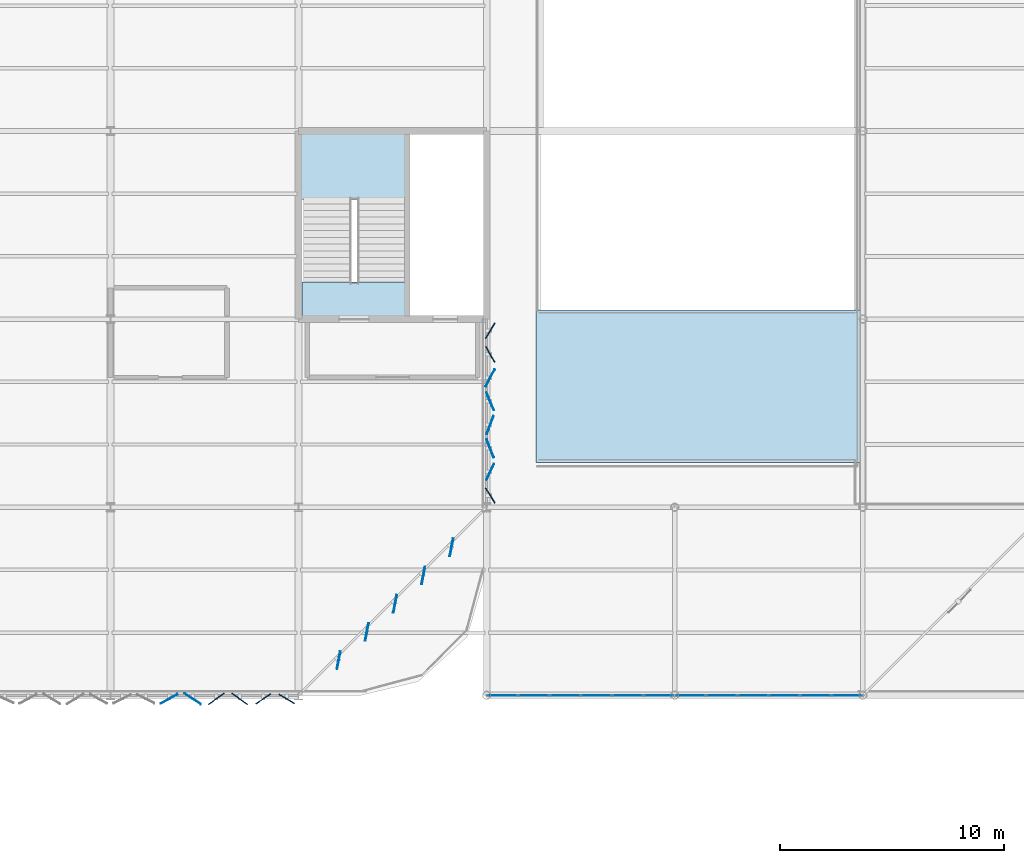
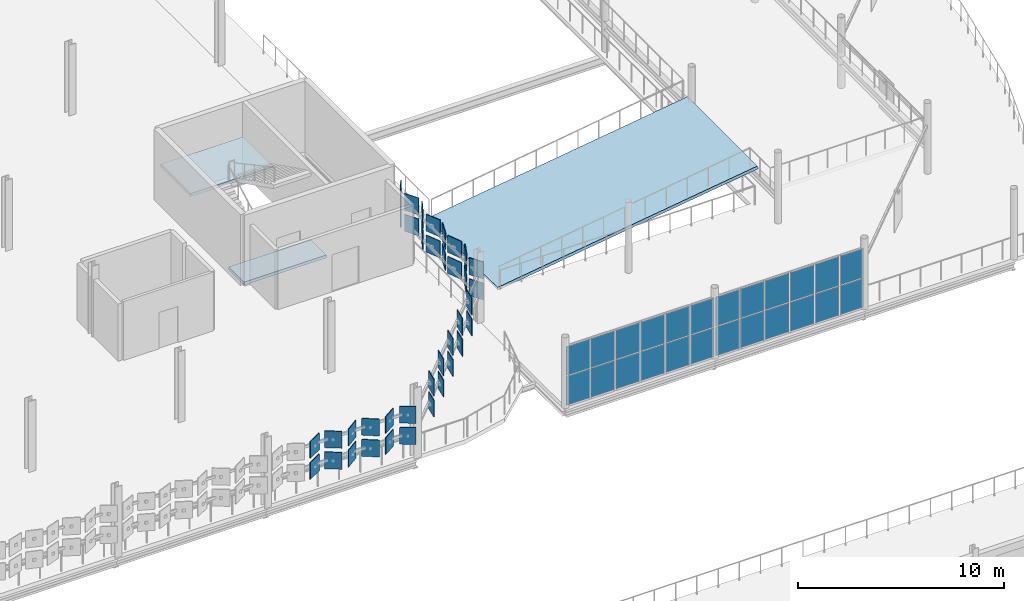
# One storey, part 149 of 184: 62 plates, 3 slabs, 3 elements without a shape of their own.
"""IFC4 building model written with IfcOpenShell, lengths in metres."""

from ifc_helpers import new_model, si_unit, direction, frame, origin, origin_2d, place, context, subcontext, project, spatial, polyline, rectangle, outline, extrude, material, layer, layer_set, type_object, element, aggregate, save


model = new_model("IFC4")

# Units and contexts
model_context = context("Model", 3, precision=1e-05, world=origin(), true_north=direction((0.0, 1.0)))
body_context = subcontext(model_context, "Body", "Model", "MODEL_VIEW")
ifc_project = project(units=[si_unit("LENGTHUNIT", "METRE"), si_unit("AREAUNIT", "SQUARE_METRE"), si_unit("VOLUMEUNIT", "CUBIC_METRE"), si_unit("PLANEANGLEUNIT", "RADIAN"), si_unit("MASSUNIT", "GRAM", prefix="KILO")], contexts=[model_context])

# Site, building, storey
site_placement = place(None, origin())
site = spatial("IfcSite", under=ifc_project, at=site_placement, CompositionType="ELEMENT")
building_placement = place(site_placement, origin())
building = spatial("IfcBuilding", under=site, at=building_placement, Name="Qalvenar Corner Mobility Hub", CompositionType="ELEMENT")
storey_placement = place(building_placement, frame((0.0, 0.0, 9.0)))
storey = spatial("IfcBuildingStorey", under=building, at=storey_placement, Name="L02", CompositionType="ELEMENT", Elevation=9.0)

# Curtain wall, plates
ifc_material_1 = material(Name="Anodised Aluminium and Low-E Glazing", Category="aluminium")
ifc_layer_1 = layer(ifc_material_1, 0.1201171875)
ifc_layer_set_1 = layer_set([ifc_layer_1], Name="Anodised Aluminium and Low-E Glazing")
curtain_wall_type = type_object("IfcCurtainWallType", Name="CW-STR-42X40", PredefinedType="NOTDEFINED", material=ifc_layer_set_1)
curtain_wall_1_placement = place(storey_placement, origin())
curtain_wall_1 = element("IfcCurtainWall", 1, at=curtain_wall_1_placement, inside=storey, type_object=curtain_wall_type, Name="Glazed Curtain Wall CW-V2-L02-S0", PredefinedType="NOTDEFINED")
ifc_material_2 = material(Name="Solar-Control Low-E Double Glazing", Category="glass")
ifc_layer_2 = layer(ifc_material_2, 0.028076171875)
ifc_layer_set_2 = layer_set([ifc_layer_2], Name="Solar-Control Low-E Double Glazing")
plate_type_1 = type_object("IfcPlateType", Name="PLT-CWP-GLZ1", PredefinedType="CURTAIN_PANEL", material=ifc_layer_set_2)
plate_1_placement = place(storey_placement, frame((143.514892578125, 67.199951171875, 0.05517578125), z_axis=(0.0, 0.0, 1.0), x_axis=(1.0, 0.0, 0.0)))
plate_1 = element("IfcPlate", 2, at=plate_1_placement, type_object=plate_type_1, Name="CW-10 panel 1.1", PredefinedType="CURTAIN_PANEL", context=body_context, shape_type="SweptSolid", body=[
    extrude(rectangle(XDim=1.31005859375, YDim=0.028076171875, at=origin_2d()), origin(), (0.0, 0.0, 1.0), 1.717529296875),
])
plate_2_placement = place(storey_placement, frame((143.514892578125, 67.199951171875, 1.82763671875), z_axis=(0.0, 0.0, 1.0), x_axis=(1.0, 0.0, 0.0)))
plate_2 = element("IfcPlate", 3, at=plate_2_placement, type_object=plate_type_1, Name="CW-10 panel 1.2", PredefinedType="CURTAIN_PANEL", context=body_context, shape_type="SweptSolid", body=[
    extrude(rectangle(XDim=1.31005859375, YDim=0.028076171875, at=origin_2d()), origin(), (0.0, 0.0, 1.0), 1.717529296875),
])
plate_3_placement = place(storey_placement, frame((144.89990234375, 67.199951171875, 0.05517578125), z_axis=(0.0, 0.0, 1.0), x_axis=(1.0, 0.0, 0.0)))
plate_3 = element("IfcPlate", 4, at=plate_3_placement, type_object=plate_type_1, Name="CW-10 panel 2.1", PredefinedType="CURTAIN_PANEL", context=body_context, shape_type="SweptSolid", body=[
    extrude(rectangle(XDim=1.340087890625, YDim=0.028076171875, at=origin_2d()), origin(), (0.0, 0.0, 1.0), 1.717529296875),
])
plate_4_placement = place(storey_placement, frame((144.89990234375, 67.199951171875, 1.82763671875), z_axis=(0.0, 0.0, 1.0), x_axis=(1.0, 0.0, 0.0)))
plate_4 = element("IfcPlate", 5, at=plate_4_placement, type_object=plate_type_1, Name="CW-10 panel 2.2", PredefinedType="CURTAIN_PANEL", context=body_context, shape_type="SweptSolid", body=[
    extrude(rectangle(XDim=1.340087890625, YDim=0.028076171875, at=origin_2d()), origin(), (0.0, 0.0, 1.0), 1.717529296875),
])
plate_5_placement = place(storey_placement, frame((146.300048828125, 67.199951171875, 0.05517578125), z_axis=(0.0, 0.0, 1.0), x_axis=(1.0, 0.0, 0.0)))
plate_5 = element("IfcPlate", 6, at=plate_5_placement, type_object=plate_type_1, Name="CW-10 panel 3.1", PredefinedType="CURTAIN_PANEL", context=body_context, shape_type="SweptSolid", body=[
    extrude(rectangle(XDim=1.340087890625, YDim=0.028076171875, at=origin_2d()), origin(), (0.0, 0.0, 1.0), 1.717529296875),
])
plate_6_placement = place(storey_placement, frame((146.300048828125, 67.199951171875, 1.82763671875), z_axis=(0.0, 0.0, 1.0), x_axis=(1.0, 0.0, 0.0)))
plate_6 = element("IfcPlate", 7, at=plate_6_placement, type_object=plate_type_1, Name="CW-10 panel 3.2", PredefinedType="CURTAIN_PANEL", context=body_context, shape_type="SweptSolid", body=[
    extrude(rectangle(XDim=1.340087890625, YDim=0.028076171875, at=origin_2d()), origin(), (0.0, 0.0, 1.0), 1.717529296875),
])
plate_7_placement = place(storey_placement, frame((147.699951171875, 67.199951171875, 0.05517578125), z_axis=(0.0, 0.0, 1.0), x_axis=(1.0, 0.0, 0.0)))
plate_7 = element("IfcPlate", 8, at=plate_7_placement, type_object=plate_type_1, Name="CW-10 panel 4.1", PredefinedType="CURTAIN_PANEL", context=body_context, shape_type="SweptSolid", body=[
    extrude(rectangle(XDim=1.340087890625, YDim=0.028076171875, at=origin_2d()), origin(), (0.0, 0.0, 1.0), 1.717529296875),
])
plate_8_placement = place(storey_placement, frame((147.699951171875, 67.199951171875, 1.82763671875), z_axis=(0.0, 0.0, 1.0), x_axis=(1.0, 0.0, 0.0)))
plate_8 = element("IfcPlate", 9, at=plate_8_placement, type_object=plate_type_1, Name="CW-10 panel 4.2", PredefinedType="CURTAIN_PANEL", context=body_context, shape_type="SweptSolid", body=[
    extrude(rectangle(XDim=1.340087890625, YDim=0.028076171875, at=origin_2d()), origin(), (0.0, 0.0, 1.0), 1.717529296875),
])
plate_9_placement = place(storey_placement, frame((149.10009765625, 67.199951171875, 0.05517578125), z_axis=(0.0, 0.0, 1.0), x_axis=(1.0, 0.0, 0.0)))
plate_9 = element("IfcPlate", 10, at=plate_9_placement, type_object=plate_type_1, Name="CW-10 panel 5.1", PredefinedType="CURTAIN_PANEL", context=body_context, shape_type="SweptSolid", body=[
    extrude(rectangle(XDim=1.340087890625, YDim=0.028076171875, at=origin_2d()), origin(), (0.0, 0.0, 1.0), 1.717529296875),
])
plate_10_placement = place(storey_placement, frame((149.10009765625, 67.199951171875, 1.82763671875), z_axis=(0.0, 0.0, 1.0), x_axis=(1.0, 0.0, 0.0)))
plate_10 = element("IfcPlate", 11, at=plate_10_placement, type_object=plate_type_1, Name="CW-10 panel 5.2", PredefinedType="CURTAIN_PANEL", context=body_context, shape_type="SweptSolid", body=[
    extrude(rectangle(XDim=1.340087890625, YDim=0.028076171875, at=origin_2d()), origin(), (0.0, 0.0, 1.0), 1.717529296875),
])
plate_11_placement = place(storey_placement, frame((150.485107421875, 67.199951171875, 0.05517578125), z_axis=(0.0, 0.0, 1.0), x_axis=(1.0, 0.0, 0.0)))
plate_11 = element("IfcPlate", 12, at=plate_11_placement, type_object=plate_type_1, Name="CW-10 panel 6.1", PredefinedType="CURTAIN_PANEL", context=body_context, shape_type="SweptSolid", body=[
    extrude(rectangle(XDim=1.31005859375, YDim=0.028076171875, at=origin_2d()), origin(), (0.0, 0.0, 1.0), 1.717529296875),
])
plate_12_placement = place(storey_placement, frame((150.485107421875, 67.199951171875, 1.82763671875), z_axis=(0.0, 0.0, 1.0), x_axis=(1.0, 0.0, 0.0)))
plate_12 = element("IfcPlate", 13, at=plate_12_placement, type_object=plate_type_1, Name="CW-10 panel 6.2", PredefinedType="CURTAIN_PANEL", context=body_context, shape_type="SweptSolid", body=[
    extrude(rectangle(XDim=1.31005859375, YDim=0.028076171875, at=origin_2d()), origin(), (0.0, 0.0, 1.0), 1.717529296875),
])
aggregate(curtain_wall_1, [plate_1, plate_2, plate_3, plate_4, plate_5, plate_6, plate_7, plate_8, plate_9, plate_10, plate_11, plate_12])

curtain_wall_2_placement = place(storey_placement, origin())
curtain_wall_2 = element("IfcCurtainWall", 14, at=curtain_wall_2_placement, inside=storey, type_object=curtain_wall_type, Name="Glazed Curtain Wall CW-V2-L02-S1", PredefinedType="NOTDEFINED")
plate_13_placement = place(storey_placement, frame((151.9150390625, 67.199951171875, 0.05517578125), z_axis=(0.0, 0.0, 1.0), x_axis=(1.0, 0.0, 0.0)))
plate_13 = element("IfcPlate", 15, at=plate_13_placement, type_object=plate_type_1, Name="CW-10 panel 1.1", PredefinedType="CURTAIN_PANEL", context=body_context, shape_type="SweptSolid", body=[
    extrude(rectangle(XDim=1.31005859375, YDim=0.028076171875, at=origin_2d()), origin(), (0.0, 0.0, 1.0), 1.717529296875),
])
plate_14_placement = place(storey_placement, frame((151.9150390625, 67.199951171875, 1.82763671875), z_axis=(0.0, 0.0, 1.0), x_axis=(1.0, 0.0, 0.0)))
plate_14 = element("IfcPlate", 16, at=plate_14_placement, type_object=plate_type_1, Name="CW-10 panel 1.2", PredefinedType="CURTAIN_PANEL", context=body_context, shape_type="SweptSolid", body=[
    extrude(rectangle(XDim=1.31005859375, YDim=0.028076171875, at=origin_2d()), origin(), (0.0, 0.0, 1.0), 1.717529296875),
])
plate_15_placement = place(storey_placement, frame((153.300048828125, 67.199951171875, 0.05517578125), z_axis=(0.0, 0.0, 1.0), x_axis=(1.0, 0.0, 0.0)))
plate_15 = element("IfcPlate", 17, at=plate_15_placement, type_object=plate_type_1, Name="CW-10 panel 2.1", PredefinedType="CURTAIN_PANEL", context=body_context, shape_type="SweptSolid", body=[
    extrude(rectangle(XDim=1.340087890625, YDim=0.028076171875, at=origin_2d()), origin(), (0.0, 0.0, 1.0), 1.717529296875),
])
plate_16_placement = place(storey_placement, frame((153.300048828125, 67.199951171875, 1.82763671875), z_axis=(0.0, 0.0, 1.0), x_axis=(1.0, 0.0, 0.0)))
plate_16 = element("IfcPlate", 18, at=plate_16_placement, type_object=plate_type_1, Name="CW-10 panel 2.2", PredefinedType="CURTAIN_PANEL", context=body_context, shape_type="SweptSolid", body=[
    extrude(rectangle(XDim=1.340087890625, YDim=0.028076171875, at=origin_2d()), origin(), (0.0, 0.0, 1.0), 1.717529296875),
])
plate_17_placement = place(storey_placement, frame((154.699951171875, 67.199951171875, 0.05517578125), z_axis=(0.0, 0.0, 1.0), x_axis=(1.0, 0.0, 0.0)))
plate_17 = element("IfcPlate", 19, at=plate_17_placement, type_object=plate_type_1, Name="CW-10 panel 3.1", PredefinedType="CURTAIN_PANEL", context=body_context, shape_type="SweptSolid", body=[
    extrude(rectangle(XDim=1.340087890625, YDim=0.028076171875, at=origin_2d()), origin(), (0.0, 0.0, 1.0), 1.717529296875),
])
plate_18_placement = place(storey_placement, frame((154.699951171875, 67.199951171875, 1.82763671875), z_axis=(0.0, 0.0, 1.0), x_axis=(1.0, 0.0, 0.0)))
plate_18 = element("IfcPlate", 20, at=plate_18_placement, type_object=plate_type_1, Name="CW-10 panel 3.2", PredefinedType="CURTAIN_PANEL", context=body_context, shape_type="SweptSolid", body=[
    extrude(rectangle(XDim=1.340087890625, YDim=0.028076171875, at=origin_2d()), origin(), (0.0, 0.0, 1.0), 1.717529296875),
])
plate_19_placement = place(storey_placement, frame((156.10009765625, 67.199951171875, 0.05517578125), z_axis=(0.0, 0.0, 1.0), x_axis=(1.0, 0.0, 0.0)))
plate_19 = element("IfcPlate", 21, at=plate_19_placement, type_object=plate_type_1, Name="CW-10 panel 4.1", PredefinedType="CURTAIN_PANEL", context=body_context, shape_type="SweptSolid", body=[
    extrude(rectangle(XDim=1.340087890625, YDim=0.028076171875, at=origin_2d()), origin(), (0.0, 0.0, 1.0), 1.717529296875),
])
plate_20_placement = place(storey_placement, frame((156.10009765625, 67.199951171875, 1.82763671875), z_axis=(0.0, 0.0, 1.0), x_axis=(1.0, 0.0, 0.0)))
plate_20 = element("IfcPlate", 22, at=plate_20_placement, type_object=plate_type_1, Name="CW-10 panel 4.2", PredefinedType="CURTAIN_PANEL", context=body_context, shape_type="SweptSolid", body=[
    extrude(rectangle(XDim=1.340087890625, YDim=0.028076171875, at=origin_2d()), origin(), (0.0, 0.0, 1.0), 1.717529296875),
])
plate_21_placement = place(storey_placement, frame((157.5, 67.199951171875, 0.05517578125), z_axis=(0.0, 0.0, 1.0), x_axis=(1.0, 0.0, 0.0)))
plate_21 = element("IfcPlate", 23, at=plate_21_placement, type_object=plate_type_1, Name="CW-10 panel 5.1", PredefinedType="CURTAIN_PANEL", context=body_context, shape_type="SweptSolid", body=[
    extrude(rectangle(XDim=1.340087890625, YDim=0.028076171875, at=origin_2d()), origin(), (0.0, 0.0, 1.0), 1.717529296875),
])
plate_22_placement = place(storey_placement, frame((157.5, 67.199951171875, 1.82763671875), z_axis=(0.0, 0.0, 1.0), x_axis=(1.0, 0.0, 0.0)))
plate_22 = element("IfcPlate", 24, at=plate_22_placement, type_object=plate_type_1, Name="CW-10 panel 5.2", PredefinedType="CURTAIN_PANEL", context=body_context, shape_type="SweptSolid", body=[
    extrude(rectangle(XDim=1.340087890625, YDim=0.028076171875, at=origin_2d()), origin(), (0.0, 0.0, 1.0), 1.717529296875),
])
plate_23_placement = place(storey_placement, frame((158.885009765625, 67.199951171875, 0.05517578125), z_axis=(0.0, 0.0, 1.0), x_axis=(1.0, 0.0, 0.0)))
plate_23 = element("IfcPlate", 25, at=plate_23_placement, type_object=plate_type_1, Name="CW-10 panel 6.1", PredefinedType="CURTAIN_PANEL", context=body_context, shape_type="SweptSolid", body=[
    extrude(rectangle(XDim=1.31005859375, YDim=0.028076171875, at=origin_2d()), origin(), (0.0, 0.0, 1.0), 1.717529296875),
])
plate_24_placement = place(storey_placement, frame((158.885009765625, 67.199951171875, 1.82763671875), z_axis=(0.0, 0.0, 1.0), x_axis=(1.0, 0.0, 0.0)))
plate_24 = element("IfcPlate", 26, at=plate_24_placement, type_object=plate_type_1, Name="CW-10 panel 6.2", PredefinedType="CURTAIN_PANEL", context=body_context, shape_type="SweptSolid", body=[
    extrude(rectangle(XDim=1.31005859375, YDim=0.028076171875, at=origin_2d()), origin(), (0.0, 0.0, 1.0), 1.717529296875),
])
aggregate(curtain_wall_2, [plate_13, plate_14, plate_15, plate_16, plate_17, plate_18, plate_19, plate_20, plate_21, plate_22, plate_23, plate_24])

# Plates
ifc_material_3 = material(Name="Amber-Bronze Anodised Aluminium", Category="aluminium")
ifc_layer_3 = layer(ifc_material_3, 0.0400390625)
ifc_layer_set_3 = layer_set([ifc_layer_3], Name="Amber-Bronze Anodised Aluminium")
plate_type_2 = type_object("IfcPlateType", Name="PLT-XC-L2-CRN", PredefinedType="SHEET", material=ifc_layer_set_3)
for number, where, z_axis, x_axis, name in (
    (27, (132.824951171875, 67.0400390625, 1.0), (0.0, 0.0, 1.0), (0.835423867485, 0.549606187772, 0.0), "Hinged Facade Panel FP-L02-0485"),
    (28, (132.824951171875, 67.0400390625, 2.25), (0.0, 0.0, 1.0), (0.835423867485, 0.549606187772, 0.0), "Hinged Facade Panel FP-L02-0486"),
    (29, (133.875, 67.0400390625, 1.0), (0.0, 0.0, 1.0), (0.85860221428, -0.512642407174, 0.0), "Hinged Facade Panel FP-L02-0487"),
    (30, (133.875, 67.0400390625, 2.25), (0.0, 0.0, 1.0), (0.85860221428, -0.512642407174, 0.0), "Hinged Facade Panel FP-L02-0488"),
    (31, (142.9599609375, 76.125, 1.0), (0.0, 0.0, 1.0), (-0.518773258161, 0.854911870673, 0.0), "Hinged Facade Panel FP-L02-0665"),
    (32, (142.9599609375, 76.125, 2.25), (0.0, 0.0, 1.0), (-0.518773258161, 0.854911870673, 0.0), "Hinged Facade Panel FP-L02-0666"),
    (33, (142.9599609375, 77.175048828125, 1.0), (0.0, 0.0, 1.0), (0.422934597085, 0.906160210221, 0.0), "Hinged Facade Panel FP-L02-0667"),
    (34, (142.9599609375, 77.175048828125, 2.25), (0.0, 0.0, 1.0), (0.422934597085, 0.906160210221, 0.0), "Hinged Facade Panel FP-L02-0668"),
    (35, (142.9599609375, 82.425048828125, 1.0), (0.0, 0.0, 1.0), (-0.492423560103, 0.87035569594, 0.0), "Hinged Facade Panel FP-L02-0677"),
    (36, (142.9599609375, 82.425048828125, 2.25), (0.0, 0.0, 1.0), (-0.492423560103, 0.87035569594, 0.0), "Hinged Facade Panel FP-L02-0678"),
    (37, (142.9599609375, 83.47509765625, 1.0), (0.0, 0.0, 1.0), (0.518027009373, 0.855364260161, 0.0), "Hinged Facade Panel FP-L02-0679"),
    (38, (142.9599609375, 83.47509765625, 2.25), (0.0, 0.0, 1.0), (0.518027009373, 0.855364260161, 0.0), "Hinged Facade Panel FP-L02-0680"),
    (39, (136.193115234375, 68.766845703125, 1.0), (0.0, 0.0, 1.0), (0.190808995377, 0.981627183448, 0.0), "Corner Hinged Panel FPC-L02-0691"),
    (40, (137.453125, 70.02685546875, 1.0), (0.0, 0.0, 1.0), (0.190808995377, 0.981627183448, 0.0), "Corner Hinged Panel FPC-L02-0692"),
    (41, (138.713134765625, 71.286865234375, 1.0), (0.0, 0.0, 1.0), (0.190808995377, 0.981627183448, 0.0), "Corner Hinged Panel FPC-L02-0693"),
    (42, (139.97314453125, 72.546875, 1.0), (0.0, 0.0, 1.0), (0.190808995377, 0.981627183448, 0.0), "Corner Hinged Panel FPC-L02-0694"),
    (43, (141.233154296875, 73.806884765625, 1.0), (0.0, 0.0, 1.0), (0.190808995377, 0.981627183448, 0.0), "Corner Hinged Panel FPC-L02-0695"),
    (44, (136.193115234375, 68.766845703125, 2.25), (0.0, 0.0, 1.0), (0.190808995377, 0.981627183448, 0.0), "Corner Hinged Panel FPC-L02-0696"),
    (45, (137.453125, 70.02685546875, 2.25), (0.0, 0.0, 1.0), (0.190808995377, 0.981627183448, 0.0), "Corner Hinged Panel FPC-L02-0697"),
    (46, (138.713134765625, 71.286865234375, 2.25), (0.0, 0.0, 1.0), (0.190808995377, 0.981627183448, 0.0), "Corner Hinged Panel FPC-L02-0698"),
    (47, (139.97314453125, 72.546875, 2.25), (0.0, 0.0, 1.0), (0.190808995377, 0.981627183448, 0.0), "Corner Hinged Panel FPC-L02-0699"),
    (48, (141.233154296875, 73.806884765625, 2.25), (0.0, 0.0, 1.0), (0.190808995377, 0.981627183448, 0.0), "Corner Hinged Panel FPC-L02-0700"),
):
    element("IfcPlate", number, at=place(storey_placement, frame(where, z_axis=z_axis, x_axis=x_axis)), inside=storey, type_object=plate_type_2, Name=name, PredefinedType="SHEET", context=body_context, shape_type="SweptSolid", body=[
        extrude(rectangle(XDim=0.800048828125, YDim=0.0400390625, at=origin_2d()), origin(), (0.0, 0.0, 1.0), 1.0),
    ])
ifc_layer_4 = layer(ifc_material_3, 0.0380859375)
ifc_layer_set_4 = layer_set([ifc_layer_4], Name="Amber-Bronze Anodised Aluminium")
plate_type_3 = type_object("IfcPlateType", Name="PLT-XC-L2-STD", PredefinedType="SHEET", material=ifc_layer_set_4)
for number, where, z_axis, x_axis, name in (
    (49, (128.625, 67.0400390625, 1.0), (0.0, 0.0, 1.0), (0.873432483984, 0.486945269945, 0.0), "Hinged Facade Panel FP-L02-0477"),
    (50, (128.625, 67.0400390625, 2.25), (0.0, 0.0, 1.0), (0.873432483984, 0.486945269945, 0.0), "Hinged Facade Panel FP-L02-0478"),
    (51, (129.675048828125, 67.0400390625, 1.0), (0.0, 0.0, 1.0), (0.836381838331, -0.548147261701, 0.0), "Hinged Facade Panel FP-L02-0479"),
    (52, (129.675048828125, 67.0400390625, 2.25), (0.0, 0.0, 1.0), (0.836381838331, -0.548147261701, 0.0), "Hinged Facade Panel FP-L02-0480"),
    (53, (130.72509765625, 67.0400390625, 1.0), (0.0, 0.0, 1.0), (0.819152044289, 0.573576436351, 0.0), "Hinged Facade Panel FP-L02-0481"),
    (54, (130.72509765625, 67.0400390625, 2.25), (0.0, 0.0, 1.0), (0.819152044289, 0.573576436351, 0.0), "Hinged Facade Panel FP-L02-0482"),
    (55, (131.77490234375, 67.0400390625, 1.0), (0.0, 0.0, 1.0), (0.819152044289, -0.573576436351, 0.0), "Hinged Facade Panel FP-L02-0483"),
    (56, (131.77490234375, 67.0400390625, 2.25), (0.0, 0.0, 1.0), (0.819152044289, -0.573576436351, 0.0), "Hinged Facade Panel FP-L02-0484"),
    (57, (142.9599609375, 78.22509765625, 1.0), (0.0, 0.0, 1.0), (-0.37136783555, 0.928485826881, 0.0), "Hinged Facade Panel FP-L02-0669"),
    (58, (142.9599609375, 78.22509765625, 2.25), (0.0, 0.0, 1.0), (-0.37136783555, 0.928485826881, 0.0), "Hinged Facade Panel FP-L02-0670"),
    (59, (142.9599609375, 79.27490234375, 1.0), (0.0, 0.0, 1.0), (0.346117057077, 0.938191335922, 0.0), "Hinged Facade Panel FP-L02-0671"),
    (60, (142.9599609375, 79.27490234375, 2.25), (0.0, 0.0, 1.0), (0.346117057077, 0.938191335922, 0.0), "Hinged Facade Panel FP-L02-0672"),
    (61, (142.9599609375, 80.324951171875, 1.0), (0.0, 0.0, 1.0), (-0.386710961637, 0.92220097167, 0.0), "Hinged Facade Panel FP-L02-0673"),
    (62, (142.9599609375, 80.324951171875, 2.25), (0.0, 0.0, 1.0), (-0.386710961637, 0.92220097167, 0.0), "Hinged Facade Panel FP-L02-0674"),
    (63, (142.9599609375, 81.375, 1.0), (0.0, 0.0, 1.0), (0.460509662773, 0.887654691022, 0.0), "Hinged Facade Panel FP-L02-0675"),
    (64, (142.9599609375, 81.375, 2.25), (0.0, 0.0, 1.0), (0.460509662773, 0.887654691022, 0.0), "Hinged Facade Panel FP-L02-0676"),
):
    element("IfcPlate", number, at=place(storey_placement, frame(where, z_axis=z_axis, x_axis=x_axis)), inside=storey, type_object=plate_type_3, Name=name, PredefinedType="SHEET", context=body_context, shape_type="SweptSolid", body=[
        extrude(rectangle(XDim=0.860107421875, YDim=0.0380859375, at=origin_2d()), origin(), (0.0, 0.0, 1.0), 1.0),
    ])

# Stair, slab
ifc_material_4 = material(Name="Concrete C35/45", Category="concrete")
stair_type = type_object("IfcStairType", Name="STR-200-H42", PredefinedType="HALF_TURN_STAIR", material=ifc_material_4)
stair_placement = place(storey_placement, origin())
stair = element("IfcStair", 65, at=stair_placement, inside=storey, type_object=stair_type, Name="Exit Stair ST4 L02-L03", PredefinedType="HALF_TURN_STAIR")
ifc_layer_5 = layer(ifc_material_4, 0.179931640625)
ifc_layer_set_5 = layer_set([ifc_layer_5], Name="Concrete C35/45")
slab_type_1 = type_object("IfcSlabType", Name="SLB-LND180", PredefinedType="LANDING", material=ifc_layer_set_5)
slab_1_placement = place(storey_placement, frame((0.0, 0.0, 1.919921875)))
slab_1 = element("IfcSlab", 66, at=slab_1_placement, type_object=slab_type_1, Name="ST4 landing 1", PredefinedType="LANDING", context=body_context, shape_type="SweptSolid", body=[
    extrude(outline(polyline([(134.5400390625, 89.35009765625), (139.179931640625, 89.35009765625), (139.179931640625, 92.260009765625), (134.5400390625, 92.260009765625), (134.5400390625, 89.35009765625)])), origin(), (0.0, 0.0, 1.0), 0.18017578125),
])
aggregate(stair, [slab_1])

# Slabs
ifc_layer_6 = layer(ifc_material_4, 0.175048828125)
ifc_layer_set_6 = layer_set([ifc_layer_6], Name="Concrete C35/45")
slab_type_2 = type_object("IfcSlabType", Name="SLB-LND200", PredefinedType="LANDING", material=ifc_layer_set_6)
slab_2_placement = place(storey_placement, frame((0.0, 0.0, -0.175048828125)))
element("IfcSlab", 67, at=slab_2_placement, inside=storey, type_object=slab_type_2, Name="Core Stair Arrival Landing C4-L02", PredefinedType="LANDING", context=body_context, shape_type="SweptSolid", body=[
    extrude(outline(polyline([(134.550048828125, 84.14990234375), (139.169921875, 84.14990234375), (139.169921875, 85.64990234375), (134.550048828125, 85.64990234375), (134.550048828125, 84.14990234375)])), origin(), (0.0, 0.0, 1.0), 0.175048828125),
])
ifc_material_5 = material(Name="Concrete C35/45", Category="concrete")
ifc_layer_7 = layer(ifc_material_5, 0.179931640625)
ifc_layer_set_7 = layer_set([ifc_layer_7], Name="Concrete C35/45")
slab_type_3 = type_object("IfcSlabType", Name="SLB-VRMP180", PredefinedType="FLOOR", material=ifc_layer_set_7)
slab_3_placement = place(storey_placement, frame((145.0, 77.60009765625, 0.0), z_axis=(-0.142375980845, 0.0, 0.989812648979), x_axis=(0.989812648979, 0.0, 0.142375980845)))
element("IfcSlab", 68, at=slab_3_placement, inside=storey, type_object=slab_type_3, Name="Vehicle Circulation Ramp Structural Slab L02-L03 Lower", PredefinedType="FLOOR", context=body_context, shape_type="SweptSolid", body=[
    extrude(outline(polyline([(0.0, 0.0), (14.750364800160826, 0.0), (14.750364800160826, 6.799804687500002), (0.0, 6.799804687500002), (0.0, 0.0)])), origin(), (0.0, 0.0, -1.0), 0.179931640625),
])

save(model, "model.ifc")
